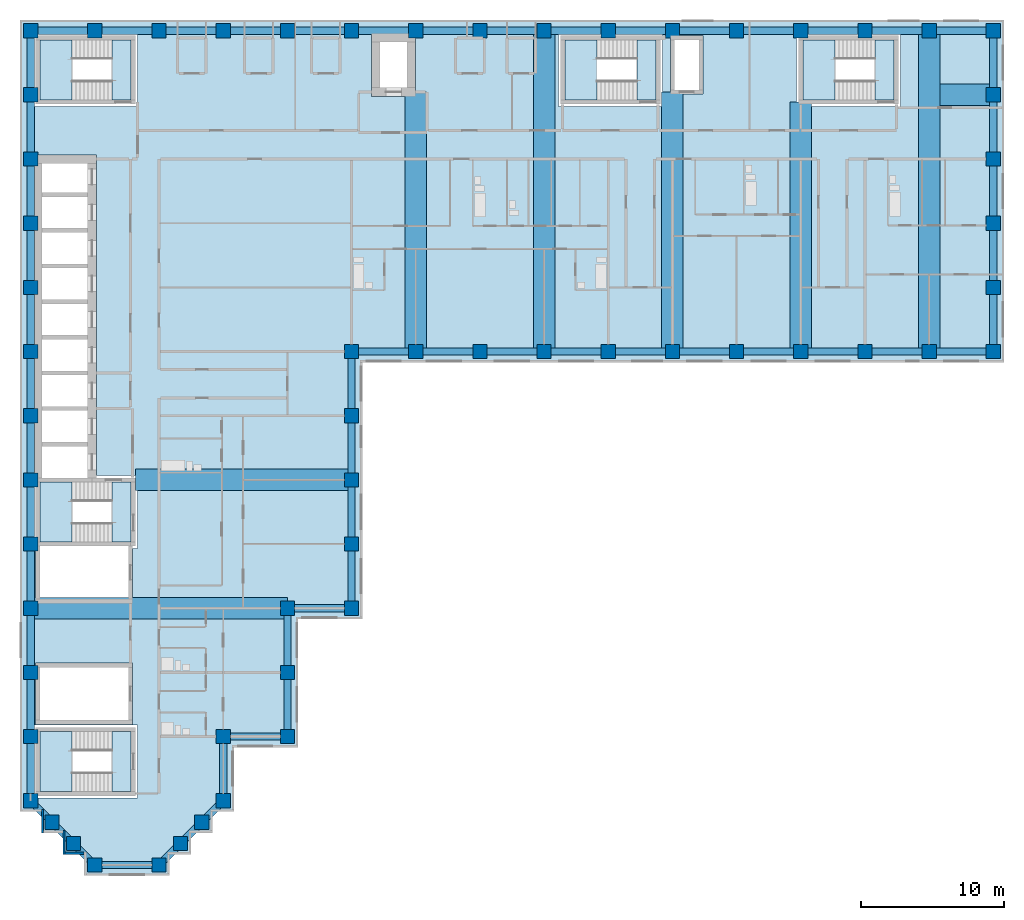
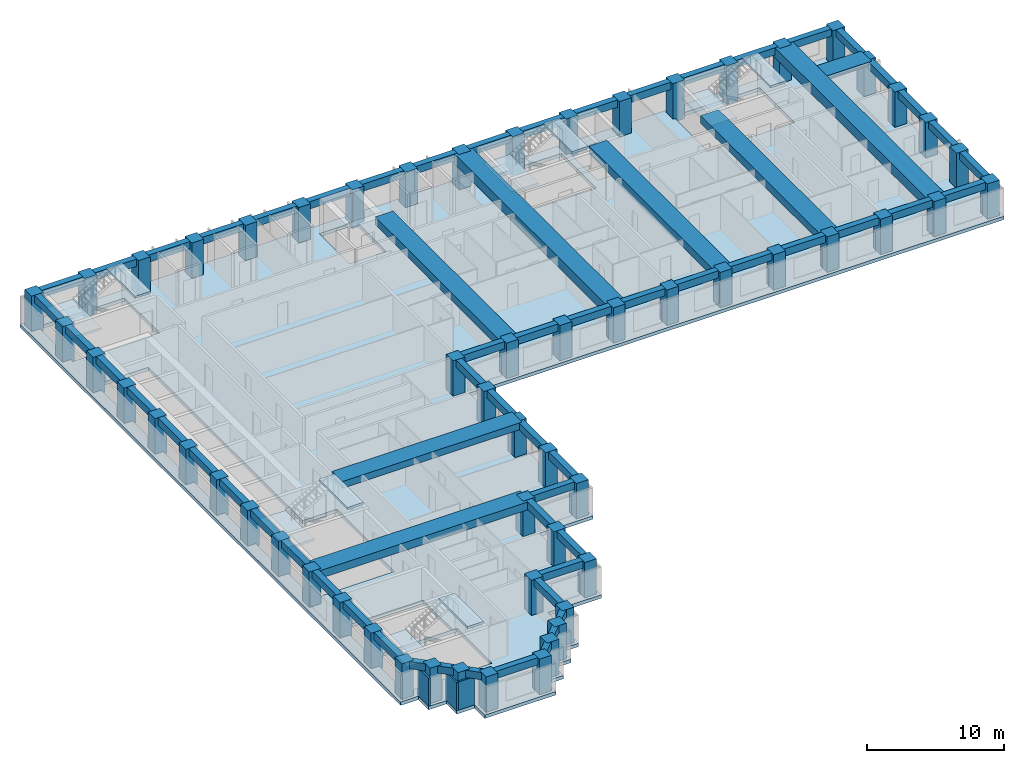
# One storey, part 1 of 12: 66 beams, 58 columns, 11 slabs, 3 walls, 5 elements without a shape of their own.
"""IFC4 building model written with IfcOpenShell, lengths in metres."""

from ifc_helpers import new_model, si_unit, direction, frame, frame_2d, origin, origin_2d, place, context, subcontext, project, spatial, polyline, rectangle, outline, extrude, material, layer, layer_set, material_profile, profile_set, type_object, element, aggregate, save


model = new_model("IFC4")

# Units and contexts
model_context = context("Model", 3, precision=1e-05, world=origin(), true_north=direction((0.0, 1.0)))
body_context = subcontext(model_context, "Body", "Model", "MODEL_VIEW")
ifc_project = project(units=[si_unit("LENGTHUNIT", "METRE"), si_unit("AREAUNIT", "SQUARE_METRE"), si_unit("VOLUMEUNIT", "CUBIC_METRE"), si_unit("PLANEANGLEUNIT", "RADIAN"), si_unit("MASSUNIT", "GRAM", prefix="KILO")], contexts=[model_context])

# Site, building, storey
site_placement = place(None, origin())
site = spatial("IfcSite", under=ifc_project, at=site_placement, CompositionType="ELEMENT")
building_placement = place(site_placement, origin())
building = spatial("IfcBuilding", under=site, at=building_placement, Name="Firuza Court", CompositionType="ELEMENT")
storey_placement = place(building_placement, frame((0.0, 0.0, 170.0)))
storey = spatial("IfcBuildingStorey", under=building, at=storey_placement, Name="L43", CompositionType="ELEMENT", Elevation=170.0)

# Columns
ifc_material_1 = material(Name="Concrete C60/75", Category="concrete")
ifc_material_profile_1 = material_profile(ifc_material_1, rectangle(XDim=1.0, YDim=1.0, at=origin_2d()), Name="RC 1000x1000")
ifc_profile_set_1 = profile_set([ifc_material_profile_1], Name="Concrete C60/75")
column_type = type_object("IfcColumnType", Name="Tube column RC 1000x1000 C60/75", PredefinedType="COLUMN", material=ifc_profile_set_1)
for number, where, z_axis, x_axis, name in (
    (1, (4.5, 0.0, -0.300048828125), (0.0, 0.0, 1.0), (1.0, 0.0, 0.0), "Column C-2D L43"),
    (2, (9.0, 0.0, -0.300048828125), (0.0, 0.0, 1.0), (1.0, 0.0, 0.0), "Column C-3D L43"),
    (3, (3.0, 1.5, -0.300048828125), (0.0, 0.0, 1.0), (1.0, 0.0, 0.0), "Column C-SA1 L43"),
    (4, (10.5, 1.5, -0.300048828125), (0.0, 0.0, 1.0), (1.0, 0.0, 0.0), "Column C-SA2 L43"),
    (5, (1.5, 3.0, -0.300048828125), (0.0, 0.0, 1.0), (1.0, 0.0, 0.0), "Column C-SA3 L43"),
    (6, (12.0, 3.0, -0.300048828125), (0.0, 0.0, 1.0), (1.0, 0.0, 0.0), "Column C-SA4 L43"),
    (7, (0.0, 4.5, -0.300048828125), (0.0, 0.0, 1.0), (1.0, 0.0, 0.0), "Column C-1E L43"),
    (8, (13.5, 4.5, -0.300048828125), (0.0, 0.0, 1.0), (1.0, 0.0, 0.0), "Column C-4E L43"),
    (9, (0.0, 9.0, -0.300048828125), (0.0, 0.0, 1.0), (1.0, 0.0, 0.0), "Column C-1F L43"),
    (10, (13.5, 9.0, -0.300048828125), (0.0, 0.0, 1.0), (1.0, 0.0, 0.0), "Column C-4F L43"),
    (11, (18.0, 9.0, -0.300048828125), (0.0, 0.0, 1.0), (1.0, 0.0, 0.0), "Column C-5F L43"),
    (12, (0.0, 13.5, -0.300048828125), (0.0, 0.0, 1.0), (1.0, 0.0, 0.0), "Column C-1G L43"),
    (13, (18.0, 13.5, -0.300048828125), (0.0, 0.0, 1.0), (1.0, 0.0, 0.0), "Column C-5G L43"),
    (14, (0.0, 18.0, -0.300048828125), (0.0, 0.0, 1.0), (1.0, 0.0, 0.0), "Column C-1H L43"),
    (15, (18.0, 18.0, -0.300048828125), (0.0, 0.0, 1.0), (1.0, 0.0, 0.0), "Column C-5H L43"),
    (16, (22.5, 18.0, -0.300048828125), (0.0, 0.0, 1.0), (1.0, 0.0, 0.0), "Column C-6H L43"),
    (17, (0.0, 22.5, -0.300048828125), (0.0, 0.0, 1.0), (1.0, 0.0, 0.0), "Column C-1J L43"),
    (18, (22.5, 22.5, -0.300048828125), (0.0, 0.0, 1.0), (1.0, 0.0, 0.0), "Column C-6J L43"),
    (19, (0.0, 27.0, -0.300048828125), (0.0, 0.0, 1.0), (1.0, 0.0, 0.0), "Column C-1K L43"),
    (20, (22.5, 27.0, -0.300048828125), (0.0, 0.0, 1.0), (1.0, 0.0, 0.0), "Column C-6K L43"),
    (21, (0.0, 31.5, -0.300048828125), (0.0, 0.0, 1.0), (1.0, 0.0, 0.0), "Column C-1L L43"),
    (22, (22.5, 31.5, -0.300048828125), (0.0, 0.0, 1.0), (1.0, 0.0, 0.0), "Column C-6L L43"),
    (23, (0.0, 36.0, -0.300048828125), (0.0, 0.0, 1.0), (1.0, 0.0, 0.0), "Column C-1M L43"),
    (24, (22.5, 36.0, -0.300048828125), (0.0, 0.0, 1.0), (1.0, 0.0, 0.0), "Column C-6M L43"),
    (25, (27.0, 36.0, -0.300048828125), (0.0, 0.0, 1.0), (1.0, 0.0, 0.0), "Column C-7M L43"),
    (26, (31.5, 36.0, -0.300048828125), (0.0, 0.0, 1.0), (1.0, 0.0, 0.0), "Column C-8M L43"),
    (27, (36.0, 36.0, -0.300048828125), (0.0, 0.0, 1.0), (1.0, 0.0, 0.0), "Column C-9M L43"),
    (28, (40.5, 36.0, -0.300048828125), (0.0, 0.0, 1.0), (1.0, 0.0, 0.0), "Column C-10M L43"),
    (29, (45.0, 36.0, -0.300048828125), (0.0, 0.0, 1.0), (1.0, 0.0, 0.0), "Column C-11M L43"),
    (30, (49.5, 36.0, -0.300048828125), (0.0, 0.0, 1.0), (1.0, 0.0, 0.0), "Column C-12M L43"),
    (31, (54.0, 36.0, -0.300048828125), (0.0, 0.0, 1.0), (1.0, 0.0, 0.0), "Column C-13M L43"),
    (32, (58.5, 36.0, -0.300048828125), (0.0, 0.0, 1.0), (1.0, 0.0, 0.0), "Column C-14M L43"),
    (33, (63.0, 36.0, -0.300048828125), (0.0, 0.0, 1.0), (1.0, 0.0, 0.0), "Column C-15M L43"),
    (34, (67.5, 36.0, -0.300048828125), (0.0, 0.0, 1.0), (1.0, 0.0, 0.0), "Column C-16M L43"),
    (35, (0.0, 40.5, -0.300048828125), (0.0, 0.0, 1.0), (1.0, 0.0, 0.0), "Column C-1N L43"),
    (36, (67.5, 40.5, -0.300048828125), (0.0, 0.0, 1.0), (1.0, 0.0, 0.0), "Column C-16N L43"),
    (37, (0.0, 45.0, -0.300048828125), (0.0, 0.0, 1.0), (1.0, 0.0, 0.0), "Column C-1P L43"),
    (38, (67.5, 45.0, -0.300048828125), (0.0, 0.0, 1.0), (1.0, 0.0, 0.0), "Column C-16P L43"),
    (39, (0.0, 49.5, -0.300048828125), (0.0, 0.0, 1.0), (1.0, 0.0, 0.0), "Column C-1Q L43"),
    (40, (67.5, 49.5, -0.300048828125), (0.0, 0.0, 1.0), (1.0, 0.0, 0.0), "Column C-16Q L43"),
    (41, (0.0, 54.0, -0.300048828125), (0.0, 0.0, 1.0), (1.0, 0.0, 0.0), "Column C-1R L43"),
    (42, (67.5, 54.0, -0.300048828125), (0.0, 0.0, 1.0), (1.0, 0.0, 0.0), "Column C-16R L43"),
    (43, (0.0, 58.5, -0.300048828125), (0.0, 0.0, 1.0), (1.0, 0.0, 0.0), "Column C-1S L43"),
    (44, (4.5, 58.5, -0.300048828125), (0.0, 0.0, 1.0), (1.0, 0.0, 0.0), "Column C-2S L43"),
    (45, (9.0, 58.5, -0.300048828125), (0.0, 0.0, 1.0), (1.0, 0.0, 0.0), "Column C-3S L43"),
    (46, (13.5, 58.5, -0.300048828125), (0.0, 0.0, 1.0), (1.0, 0.0, 0.0), "Column C-4S L43"),
    (47, (18.0, 58.5, -0.300048828125), (0.0, 0.0, 1.0), (1.0, 0.0, 0.0), "Column C-5S L43"),
    (48, (22.5, 58.5, -0.300048828125), (0.0, 0.0, 1.0), (1.0, 0.0, 0.0), "Column C-6S L43"),
    (49, (27.0, 58.5, -0.300048828125), (0.0, 0.0, 1.0), (1.0, 0.0, 0.0), "Column C-7S L43"),
    (50, (31.5, 58.5, -0.300048828125), (0.0, 0.0, 1.0), (1.0, 0.0, 0.0), "Column C-8S L43"),
    (51, (36.0, 58.5, -0.300048828125), (0.0, 0.0, 1.0), (1.0, 0.0, 0.0), "Column C-9S L43"),
    (52, (40.5, 58.5, -0.300048828125), (0.0, 0.0, 1.0), (1.0, 0.0, 0.0), "Column C-10S L43"),
    (53, (45.0, 58.5, -0.300048828125), (0.0, 0.0, 1.0), (1.0, 0.0, 0.0), "Column C-11S L43"),
    (54, (49.5, 58.5, -0.300048828125), (0.0, 0.0, 1.0), (1.0, 0.0, 0.0), "Column C-12S L43"),
    (55, (54.0, 58.5, -0.300048828125), (0.0, 0.0, 1.0), (1.0, 0.0, 0.0), "Column C-13S L43"),
    (56, (58.5, 58.5, -0.300048828125), (0.0, 0.0, 1.0), (1.0, 0.0, 0.0), "Column C-14S L43"),
    (57, (63.0, 58.5, -0.300048828125), (0.0, 0.0, 1.0), (1.0, 0.0, 0.0), "Column C-15S L43"),
    (58, (67.5, 58.5, -0.300048828125), (0.0, 0.0, 1.0), (1.0, 0.0, 0.0), "Column C-16S L43"),
):
    element("IfcColumn", number, at=place(storey_placement, frame(where, z_axis=z_axis, x_axis=x_axis)), inside=storey, type_object=column_type, Name=name, PredefinedType="COLUMN", context=body_context, shape_type="SweptSolid", body=[
        extrude(rectangle(XDim=1.0, YDim=1.0, at=origin_2d()), origin(), (0.0, 0.0, 1.0), 3.449951171875),
    ])

# Beams
ifc_material_2 = material(Name="Concrete C40/50", Category="concrete")
ifc_material_profile_2 = material_profile(ifc_material_2, rectangle(XDim=1.5, YDim=0.35009765625, at=origin_2d()), Name="RC 1500x350")
ifc_profile_set_2 = profile_set([ifc_material_profile_2], Name="Concrete C40/50")
beam_type_1 = type_object("IfcBeamType", Name="Band beam RC 1500x350 C40/50", PredefinedType="BEAM", material=ifc_profile_set_2)
beam_1_placement = place(storey_placement, frame((67.5, 54.0, 2.97509765625), z_axis=(-1.0, 0.0, 0.0), x_axis=(0.0, -1.0, 0.0)))
element("IfcBeam", 59, at=beam_1_placement, inside=storey, type_object=beam_type_1, Name="Band beam FB7 level L44", PredefinedType="BEAM", context=body_context, shape_type="SweptSolid", body=[
    extrude(rectangle(XDim=1.5, YDim=0.35009765625, at=origin_2d()), origin(), (0.0, 0.0, 1.0), 3.75),
])
ifc_material_3 = material(Name="Concrete C40/50", Category="concrete")
ifc_material_profile_3 = material_profile(ifc_material_3, rectangle(XDim=1.5, YDim=0.60009765625, at=origin_2d()), Name="RC 1500x600")
ifc_profile_set_3 = profile_set([ifc_material_profile_3], Name="Concrete C40/50")
beam_type_2 = type_object("IfcBeamType", Name="Band beam RC 1500x600 C40/50", PredefinedType="BEAM", material=ifc_profile_set_3)
beam_2_placement = place(storey_placement, frame((22.5, 27.0, 2.85009765625), z_axis=(-1.0, 0.0, 0.0), x_axis=(0.0, -1.0, 0.0)))
element("IfcBeam", 60, at=beam_2_placement, inside=storey, type_object=beam_type_2, Name="Band beam FB3 level L44", PredefinedType="BEAM", context=body_context, shape_type="SweptSolid", body=[
    extrude(rectangle(XDim=1.5, YDim=0.60009765625, at=origin_2d()), origin(), (0.0, 0.0, 1.0), 15.14990234375),
])
ifc_material_4 = material(Name="Concrete C40/50", Category="concrete")
ifc_material_profile_4 = material_profile(ifc_material_4, rectangle(XDim=1.5, YDim=0.699951171875, at=origin_2d()), Name="RC 1500x700")
ifc_profile_set_4 = profile_set([ifc_material_profile_4], Name="Concrete C40/50")
beam_type_3 = type_object("IfcBeamType", Name="Band beam RC 1500x700 C40/50", PredefinedType="BEAM", material=ifc_profile_set_4)
beam_3_placement = place(storey_placement, frame((0.0, 18.0, 2.800048828125), z_axis=(1.0, 0.0, 0.0), x_axis=(0.0, 1.0, 0.0)))
element("IfcBeam", 61, at=beam_3_placement, inside=storey, type_object=beam_type_3, Name="Band beam FB1 level L44", PredefinedType="BEAM", context=body_context, shape_type="SweptSolid", body=[
    extrude(rectangle(XDim=1.5, YDim=0.699951171875, at=origin_2d()), origin(), (0.0, 0.0, 1.0), 18.0),
])
for number, where, z_axis, x_axis, name in (
    (62, (27.0, 36.0, 2.800048828125), (0.0, 1.0, 0.0), (-1.0, 0.0, 0.0), "Band beam FB1 level L44"),
    (63, (45.0, 36.0, 2.800048828125), (0.0, 1.0, 0.0), (-1.0, 0.0, 0.0), "Band beam FB1 level L44"),
):
    element("IfcBeam", number, at=place(storey_placement, frame(where, z_axis=z_axis, x_axis=x_axis)), inside=storey, type_object=beam_type_3, Name=name, PredefinedType="BEAM", context=body_context, shape_type="SweptSolid", body=[
        extrude(rectangle(XDim=1.5, YDim=0.699951171875, at=origin_2d()), origin(), (0.0, 0.0, 1.0), 18.199951171875),
    ])
beam_4_placement = place(storey_placement, frame((54.0, 36.0, 2.800048828125), z_axis=(0.0, 1.0, 0.0), x_axis=(-1.0, 0.0, 0.0)))
element("IfcBeam", 64, at=beam_4_placement, inside=storey, type_object=beam_type_3, Name="Band beam FB1 level L44", PredefinedType="BEAM", context=body_context, shape_type="SweptSolid", body=[
    extrude(rectangle(XDim=1.5, YDim=0.699951171875, at=origin_2d()), origin(), (0.0, 0.0, 1.0), 17.5),
])
ifc_material_5 = material(Name="Concrete C40/50", Category="concrete")
ifc_material_profile_5 = material_profile(ifc_material_5, rectangle(XDim=1.5, YDim=0.89990234375, at=origin_2d()), Name="RC 1500x900")
ifc_profile_set_5 = profile_set([ifc_material_profile_5], Name="Concrete C40/50")
beam_type_4 = type_object("IfcBeamType", Name="Band beam RC 1500x900 C40/50", PredefinedType="BEAM", material=ifc_profile_set_5)
for number, where, z_axis, x_axis, name in (
    (65, (36.0, 36.0, 2.699951171875), (0.0, 1.0, 0.0), (-1.0, 0.0, 0.0), "Band beam FB2 level L44"),
    (66, (63.0, 36.0, 2.699951171875), (0.0, 1.0, 0.0), (-1.0, 0.0, 0.0), "Band beam FB2 level L44"),
):
    element("IfcBeam", number, at=place(storey_placement, frame(where, z_axis=z_axis, x_axis=x_axis)), inside=storey, type_object=beam_type_4, Name=name, PredefinedType="BEAM", context=body_context, shape_type="SweptSolid", body=[
        extrude(rectangle(XDim=1.5, YDim=0.89990234375, at=origin_2d()), origin(), (0.0, 0.0, 1.0), 22.5),
    ])
ifc_material_6 = material(Name="Concrete C40/50", Category="concrete")
ifc_material_profile_6 = material_profile(ifc_material_6, rectangle(XDim=0.5, YDim=0.64990234375, at=origin_2d()), Name="RC 500x650")
ifc_profile_set_6 = profile_set([ifc_material_profile_6], Name="Concrete C40/50")
beam_type_5 = type_object("IfcBeamType", Name="Spandrel beam RC 500x650 C40/50", PredefinedType="BEAM", material=ifc_profile_set_6)
beam_5_placement = place(storey_placement, frame((0.0, 4.5, 2.824951171875), z_axis=(0.707106781187, -0.707106781187, 0.0), x_axis=(0.707106781187, 0.707106781187, 0.0)))
element("IfcBeam", 67, at=beam_5_placement, inside=storey, type_object=beam_type_5, Name="Spandrel beam SP14 level L44", PredefinedType="BEAM", context=body_context, shape_type="SweptSolid", body=[
    extrude(rectangle(XDim=0.5, YDim=0.64990234375, at=origin_2d()), origin(), (0.0, 0.0, 1.0), 2.121337890625),
])
for number, where, z_axis, x_axis, name in (
    (68, (0.0, 9.0, 2.824951171875), (0.0, -1.0, 0.0), (1.0, 0.0, 0.0), "Spandrel beam SP14 level L44"),
    (69, (0.0, 13.5, 2.824951171875), (0.0, -1.0, 0.0), (1.0, 0.0, 0.0), "Spandrel beam SP14 level L44"),
    (70, (0.0, 18.0, 2.824951171875), (0.0, -1.0, 0.0), (1.0, 0.0, 0.0), "Spandrel beam SP14 level L44"),
    (71, (0.0, 22.5, 2.824951171875), (0.0, -1.0, 0.0), (1.0, 0.0, 0.0), "Spandrel beam SP14 level L44"),
    (72, (0.0, 27.0, 2.824951171875), (0.0, -1.0, 0.0), (1.0, 0.0, 0.0), "Spandrel beam SP14 level L44"),
    (73, (0.0, 31.5, 2.824951171875), (0.0, -1.0, 0.0), (1.0, 0.0, 0.0), "Spandrel beam SP14 level L44"),
    (74, (0.0, 36.0, 2.824951171875), (0.0, -1.0, 0.0), (1.0, 0.0, 0.0), "Spandrel beam SP14 level L44"),
    (75, (0.0, 40.5, 2.824951171875), (0.0, -1.0, 0.0), (1.0, 0.0, 0.0), "Spandrel beam SP14 level L44"),
    (76, (0.0, 45.0, 2.824951171875), (0.0, -1.0, 0.0), (1.0, 0.0, 0.0), "Spandrel beam SP14 level L44"),
    (77, (0.0, 49.5, 2.824951171875), (0.0, -1.0, 0.0), (1.0, 0.0, 0.0), "Spandrel beam SP14 level L44"),
    (78, (0.0, 54.0, 2.824951171875), (0.0, -1.0, 0.0), (1.0, 0.0, 0.0), "Spandrel beam SP14 level L44"),
    (79, (0.0, 58.5, 2.824951171875), (0.0, -1.0, 0.0), (1.0, 0.0, 0.0), "Spandrel beam SP14 level L44"),
):
    element("IfcBeam", number, at=place(storey_placement, frame(where, z_axis=z_axis, x_axis=x_axis)), inside=storey, type_object=beam_type_5, Name=name, PredefinedType="BEAM", context=body_context, shape_type="SweptSolid", body=[
        extrude(rectangle(XDim=0.5, YDim=0.64990234375, at=origin_2d()), origin(), (0.0, 0.0, 1.0), 4.5),
    ])
for number, where, z_axis, x_axis, name in (
    (80, (1.5, 3.0, 2.824951171875), (0.707106781187, -0.707106781187, 0.0), (0.707106781187, 0.707106781187, 0.0), "Spandrel beam SP14 level L44"),
    (81, (3.0, 1.5, 2.824951171875), (0.707106781187, -0.707106781187, 0.0), (0.707106781187, 0.707106781187, 0.0), "Spandrel beam SP14 level L44"),
):
    element("IfcBeam", number, at=place(storey_placement, frame(where, z_axis=z_axis, x_axis=x_axis)), inside=storey, type_object=beam_type_5, Name=name, PredefinedType="BEAM", context=body_context, shape_type="SweptSolid", body=[
        extrude(rectangle(XDim=0.5, YDim=0.64990234375, at=origin_2d()), origin(), (0.0, 0.0, 1.0), 2.121337890625),
    ])
for number, where, z_axis, x_axis, name in (
    (82, (4.5, 0.0, 2.824951171875), (1.0, 0.0, 0.0), (0.0, 1.0, 0.0), "Spandrel beam SP14 level L44"),
    (83, (4.5, 58.5, 2.824951171875), (-1.0, 0.0, 0.0), (0.0, -1.0, 0.0), "Spandrel beam SP14 level L44"),
):
    element("IfcBeam", number, at=place(storey_placement, frame(where, z_axis=z_axis, x_axis=x_axis)), inside=storey, type_object=beam_type_5, Name=name, PredefinedType="BEAM", context=body_context, shape_type="SweptSolid", body=[
        extrude(rectangle(XDim=0.5, YDim=0.64990234375, at=origin_2d()), origin(), (0.0, 0.0, 1.0), 4.5),
    ])
beam_6_placement = place(storey_placement, frame((9.0, 0.0, 2.824951171875), z_axis=(0.707106781187, 0.707106781187, 0.0), x_axis=(-0.707106781187, 0.707106781187, 0.0)))
element("IfcBeam", 84, at=beam_6_placement, inside=storey, type_object=beam_type_5, Name="Spandrel beam SP14 level L44", PredefinedType="BEAM", context=body_context, shape_type="SweptSolid", body=[
    extrude(rectangle(XDim=0.5, YDim=0.64990234375, at=origin_2d()), origin(), (0.0, 0.0, 1.0), 2.121337890625),
])
beam_7_placement = place(storey_placement, frame((9.0, 58.5, 2.824951171875), z_axis=(-1.0, 0.0, 0.0), x_axis=(0.0, -1.0, 0.0)))
element("IfcBeam", 85, at=beam_7_placement, inside=storey, type_object=beam_type_5, Name="Spandrel beam SP14 level L44", PredefinedType="BEAM", context=body_context, shape_type="SweptSolid", body=[
    extrude(rectangle(XDim=0.5, YDim=0.64990234375, at=origin_2d()), origin(), (0.0, 0.0, 1.0), 4.5),
])
for number, where, z_axis, x_axis, name in (
    (86, (10.5, 1.5, 2.824951171875), (0.707106781187, 0.707106781187, 0.0), (-0.707106781187, 0.707106781187, 0.0), "Spandrel beam SP14 level L44"),
    (87, (12.0, 3.0, 2.824951171875), (0.707106781187, 0.707106781187, 0.0), (-0.707106781187, 0.707106781187, 0.0), "Spandrel beam SP14 level L44"),
):
    element("IfcBeam", number, at=place(storey_placement, frame(where, z_axis=z_axis, x_axis=x_axis)), inside=storey, type_object=beam_type_5, Name=name, PredefinedType="BEAM", context=body_context, shape_type="SweptSolid", body=[
        extrude(rectangle(XDim=0.5, YDim=0.64990234375, at=origin_2d()), origin(), (0.0, 0.0, 1.0), 2.121337890625),
    ])
for number, where, z_axis, x_axis, name in (
    (88, (13.5, 4.5, 2.824951171875), (0.0, 1.0, 0.0), (-1.0, 0.0, 0.0), "Spandrel beam SP14 level L44"),
    (89, (13.5, 9.0, 2.824951171875), (1.0, 0.0, 0.0), (0.0, 1.0, 0.0), "Spandrel beam SP14 level L44"),
    (90, (13.5, 58.5, 2.824951171875), (-1.0, 0.0, 0.0), (0.0, -1.0, 0.0), "Spandrel beam SP14 level L44"),
    (91, (18.0, 9.0, 2.824951171875), (0.0, 1.0, 0.0), (-1.0, 0.0, 0.0), "Spandrel beam SP14 level L44"),
    (92, (18.0, 13.5, 2.824951171875), (0.0, 1.0, 0.0), (-1.0, 0.0, 0.0), "Spandrel beam SP14 level L44"),
    (93, (18.0, 18.0, 2.824951171875), (1.0, 0.0, 0.0), (0.0, 1.0, 0.0), "Spandrel beam SP14 level L44"),
    (94, (18.0, 58.5, 2.824951171875), (-1.0, 0.0, 0.0), (0.0, -1.0, 0.0), "Spandrel beam SP14 level L44"),
    (95, (22.5, 18.0, 2.824951171875), (0.0, 1.0, 0.0), (-1.0, 0.0, 0.0), "Spandrel beam SP14 level L44"),
    (96, (22.5, 22.5, 2.824951171875), (0.0, 1.0, 0.0), (-1.0, 0.0, 0.0), "Spandrel beam SP14 level L44"),
    (97, (22.5, 27.0, 2.824951171875), (0.0, 1.0, 0.0), (-1.0, 0.0, 0.0), "Spandrel beam SP14 level L44"),
    (98, (22.5, 31.5, 2.824951171875), (0.0, 1.0, 0.0), (-1.0, 0.0, 0.0), "Spandrel beam SP14 level L44"),
    (99, (22.5, 36.0, 2.824951171875), (1.0, 0.0, 0.0), (0.0, 1.0, 0.0), "Spandrel beam SP14 level L44"),
    (100, (22.5, 58.5, 2.824951171875), (-1.0, 0.0, 0.0), (0.0, -1.0, 0.0), "Spandrel beam SP14 level L44"),
    (101, (27.0, 36.0, 2.824951171875), (1.0, 0.0, 0.0), (0.0, 1.0, 0.0), "Spandrel beam SP14 level L44"),
    (102, (27.0, 58.5, 2.824951171875), (-1.0, 0.0, 0.0), (0.0, -1.0, 0.0), "Spandrel beam SP14 level L44"),
    (103, (31.5, 36.0, 2.824951171875), (1.0, 0.0, 0.0), (0.0, 1.0, 0.0), "Spandrel beam SP14 level L44"),
    (104, (31.5, 58.5, 2.824951171875), (-1.0, 0.0, 0.0), (0.0, -1.0, 0.0), "Spandrel beam SP14 level L44"),
    (105, (36.0, 36.0, 2.824951171875), (1.0, 0.0, 0.0), (0.0, 1.0, 0.0), "Spandrel beam SP14 level L44"),
    (106, (36.0, 58.5, 2.824951171875), (-1.0, 0.0, 0.0), (0.0, -1.0, 0.0), "Spandrel beam SP14 level L44"),
    (107, (40.5, 36.0, 2.824951171875), (1.0, 0.0, 0.0), (0.0, 1.0, 0.0), "Spandrel beam SP14 level L44"),
    (108, (40.5, 58.5, 2.824951171875), (-1.0, 0.0, 0.0), (0.0, -1.0, 0.0), "Spandrel beam SP14 level L44"),
    (109, (45.0, 36.0, 2.824951171875), (1.0, 0.0, 0.0), (0.0, 1.0, 0.0), "Spandrel beam SP14 level L44"),
    (110, (45.0, 58.5, 2.824951171875), (-1.0, 0.0, 0.0), (0.0, -1.0, 0.0), "Spandrel beam SP14 level L44"),
    (111, (49.5, 36.0, 2.824951171875), (1.0, 0.0, 0.0), (0.0, 1.0, 0.0), "Spandrel beam SP14 level L44"),
    (112, (49.5, 58.5, 2.824951171875), (-1.0, 0.0, 0.0), (0.0, -1.0, 0.0), "Spandrel beam SP14 level L44"),
    (113, (54.0, 36.0, 2.824951171875), (1.0, 0.0, 0.0), (0.0, 1.0, 0.0), "Spandrel beam SP14 level L44"),
    (114, (54.0, 58.5, 2.824951171875), (-1.0, 0.0, 0.0), (0.0, -1.0, 0.0), "Spandrel beam SP14 level L44"),
    (115, (58.5, 36.0, 2.824951171875), (1.0, 0.0, 0.0), (0.0, 1.0, 0.0), "Spandrel beam SP14 level L44"),
    (116, (58.5, 58.5, 2.824951171875), (-1.0, 0.0, 0.0), (0.0, -1.0, 0.0), "Spandrel beam SP14 level L44"),
    (117, (63.0, 36.0, 2.824951171875), (1.0, 0.0, 0.0), (0.0, 1.0, 0.0), "Spandrel beam SP14 level L44"),
    (118, (63.0, 58.5, 2.824951171875), (-1.0, 0.0, 0.0), (0.0, -1.0, 0.0), "Spandrel beam SP14 level L44"),
    (119, (67.5, 36.0, 2.824951171875), (0.0, 1.0, 0.0), (-1.0, 0.0, 0.0), "Spandrel beam SP14 level L44"),
    (120, (67.5, 40.5, 2.824951171875), (0.0, 1.0, 0.0), (-1.0, 0.0, 0.0), "Spandrel beam SP14 level L44"),
    (121, (67.5, 45.0, 2.824951171875), (0.0, 1.0, 0.0), (-1.0, 0.0, 0.0), "Spandrel beam SP14 level L44"),
    (122, (67.5, 49.5, 2.824951171875), (0.0, 1.0, 0.0), (-1.0, 0.0, 0.0), "Spandrel beam SP14 level L44"),
    (123, (67.5, 54.0, 2.824951171875), (0.0, 1.0, 0.0), (-1.0, 0.0, 0.0), "Spandrel beam SP14 level L44"),
    (124, (67.5, 58.5, 2.824951171875), (-1.0, 0.0, 0.0), (0.0, -1.0, 0.0), "Spandrel beam SP14 level L44"),
):
    element("IfcBeam", number, at=place(storey_placement, frame(where, z_axis=z_axis, x_axis=x_axis)), inside=storey, type_object=beam_type_5, Name=name, PredefinedType="BEAM", context=body_context, shape_type="SweptSolid", body=[
        extrude(rectangle(XDim=0.5, YDim=0.64990234375, at=origin_2d()), origin(), (0.0, 0.0, 1.0), 4.5),
    ])

# Slab
ifc_material_7 = material(Name="Concrete C40/50", Category="concrete")
ifc_layer_1 = layer(ifc_material_7, 0.300048828125)
ifc_layer_set_1 = layer_set([ifc_layer_1], Name="Concrete C40/50")
slab_type_1 = type_object("IfcSlabType", Name="Floor slab 300 C40/50", PredefinedType="FLOOR", material=ifc_layer_set_1)
slab_1_placement = place(storey_placement, frame((0.0, 0.0, -0.300048828125)))
element("IfcSlab", 125, at=slab_1_placement, inside=storey, type_object=slab_type_1, Name="Floor slab L43", PredefinedType="FLOOR", context=body_context, shape_type="SweptSolid", body=[
    extrude(outline(polyline([(3.75, -0.75), (3.75, 0.75), (2.25, 0.75), (2.25, 2.25), (0.75, 2.25), (0.75, 3.75), (-0.75, 3.75), (-0.75, 59.25), (68.25, 59.25), (68.25, 35.25), (23.25, 35.25), (23.25, 17.25), (18.75, 17.25), (18.75, 8.25), (14.25, 8.25), (14.25, 3.75), (12.75, 3.75), (12.75, 2.25), (11.25, 2.25), (11.25, 0.75), (9.75, 0.75), (9.75, -0.75), (3.75, -0.75)]), holes=[polyline([(0.199951171875, 29.800048828125), (0.199951171875, 29.199951171875), (0.199951171875, 27.300048828125), (0.199951171875, 26.699951171875), (0.199951171875, 22.199951171875), (0.35009765625, 22.199951171875), (0.35009765625, 18.35009765625), (7.14990234375, 18.35009765625), (7.14990234375, 22.199951171875), (7.5, 22.199951171875), (7.5, 27.300048828125), (4.60009765625, 27.300048828125), (4.60009765625, 29.199951171875), (4.60009765625, 29.800048828125), (4.60009765625, 31.699951171875), (4.60009765625, 32.300048828125), (4.60009765625, 34.199951171875), (4.60009765625, 34.800048828125), (4.60009765625, 36.699951171875), (4.60009765625, 37.300048828125), (4.60009765625, 39.199951171875), (4.60009765625, 39.800048828125), (4.60009765625, 41.699951171875), (4.60009765625, 42.300048828125), (4.60009765625, 44.199951171875), (4.60009765625, 44.800048828125), (4.60009765625, 46.699951171875), (4.60009765625, 47.300048828125), (4.60009765625, 49.800048828125), (0.199951171875, 49.800048828125), (0.199951171875, 47.300048828125), (0.199951171875, 46.699951171875), (0.199951171875, 44.800048828125), (0.199951171875, 44.199951171875), (0.199951171875, 42.300048828125), (0.199951171875, 41.699951171875), (0.199951171875, 39.800048828125), (0.199951171875, 39.199951171875), (0.199951171875, 37.300048828125), (0.199951171875, 36.699951171875), (0.199951171875, 34.800048828125), (0.199951171875, 34.199951171875), (0.199951171875, 32.300048828125), (0.199951171875, 31.699951171875), (0.199951171875, 29.800048828125)]), polyline([(7.5, 9.800048828125), (0.199951171875, 9.800048828125), (0.199951171875, 4.699951171875), (7.5, 4.699951171875), (7.5, 9.800048828125)]), polyline([(7.14990234375, 14.14990234375), (0.35009765625, 14.14990234375), (0.35009765625, 9.85009765625), (7.14990234375, 9.85009765625), (7.14990234375, 14.14990234375)]), polyline([(7.5, 58.300048828125), (0.199951171875, 58.300048828125), (0.199951171875, 53.199951171875), (7.5, 53.199951171875), (7.5, 58.300048828125)]), polyline([(44.300048828125, 58.300048828125), (37.0, 58.300048828125), (37.0, 53.199951171875), (44.300048828125, 53.199951171875), (44.300048828125, 58.300048828125)]), polyline([(61.0, 58.300048828125), (53.699951171875, 58.300048828125), (53.699951171875, 53.199951171875), (61.0, 53.199951171875), (61.0, 58.300048828125)]), polyline([(27.0, 53.89990234375), (27.0, 58.300048828125), (23.89990234375, 58.300048828125), (23.89990234375, 53.89990234375), (27.0, 53.89990234375)]), polyline([(47.14990234375, 54.050048828125), (47.14990234375, 58.14990234375), (44.85009765625, 58.14990234375), (44.85009765625, 54.050048828125), (47.14990234375, 54.050048828125)])]), origin(), (0.0, 0.0, 1.0), 0.300048828125),
])

# Stair, slabs
ifc_material_8 = material(Name="Concrete C40/50 precast", Category="concrete")
stair_type = type_object("IfcStairType", Name="Stair 1350 x 3600 2 flights", PredefinedType="HALF_TURN_STAIR", material=ifc_material_8)
stair_1_placement = place(storey_placement, origin())
stair_1 = element("IfcStair", 126, at=stair_1_placement, inside=storey, type_object=stair_type, Name="Stair 1 L43", PredefinedType="HALF_TURN_STAIR")
ifc_material_9 = material(Name="Concrete C40/50 precast", Category="concrete")
ifc_layer_2 = layer(ifc_material_9, 0.199951171875)
ifc_layer_set_2 = layer_set([ifc_layer_2], Name="Concrete C40/50 precast")
slab_type_2 = type_object("IfcSlabType", Name="Stair landing 200", PredefinedType="LANDING", material=ifc_layer_set_2)
slab_2_placement = place(storey_placement, frame((0.0, 0.0, 1.60009765625)))
slab_2 = element("IfcSlab", 127, at=slab_2_placement, type_object=slab_type_2, Name="S1 landing 1", PredefinedType="LANDING", context=body_context, shape_type="SweptSolid", body=[
    extrude(outline(polyline([(39.699951171875, 53.64990234375), (39.699951171875, 57.85009765625), (37.449951171875, 57.85009765625), (37.449951171875, 53.64990234375), (39.699951171875, 53.64990234375)])), origin(), (0.0, 0.0, 1.0), 0.199951171875),
])
slab_3_placement = place(storey_placement, frame((0.0, 0.0, 3.39990234375)))
slab_3 = element("IfcSlab", 128, at=slab_3_placement, type_object=slab_type_2, Name="S1 landing 2", PredefinedType="LANDING", context=body_context, shape_type="SweptSolid", body=[
    extrude(outline(polyline([(43.85009765625, 53.64990234375), (43.85009765625, 57.85009765625), (42.5, 57.85009765625), (42.5, 53.64990234375), (43.85009765625, 53.64990234375)])), origin(), (0.0, 0.0, 1.0), 0.2001953125),
])
aggregate(stair_1, [slab_2, slab_3])

stair_2_placement = place(storey_placement, origin())
stair_2 = element("IfcStair", 129, at=stair_2_placement, inside=storey, type_object=stair_type, Name="Stair 2 L43", PredefinedType="HALF_TURN_STAIR")
slab_4_placement = place(storey_placement, frame((0.0, 0.0, 1.60009765625)))
slab_4 = element("IfcSlab", 130, at=slab_4_placement, type_object=slab_type_2, Name="S2 landing 1", PredefinedType="LANDING", context=body_context, shape_type="SweptSolid", body=[
    extrude(outline(polyline([(2.89990234375, 22.64990234375), (2.89990234375, 26.85009765625), (0.64990234375, 26.85009765625), (0.64990234375, 22.64990234375), (2.89990234375, 22.64990234375)])), origin(), (0.0, 0.0, 1.0), 0.199951171875),
])
slab_5_placement = place(storey_placement, frame((0.0, 0.0, 3.39990234375)))
slab_5 = element("IfcSlab", 131, at=slab_5_placement, type_object=slab_type_2, Name="S2 landing 2", PredefinedType="LANDING", context=body_context, shape_type="SweptSolid", body=[
    extrude(outline(polyline([(7.050048828125, 22.64990234375), (7.050048828125, 26.85009765625), (5.699951171875, 26.85009765625), (5.699951171875, 22.64990234375), (7.050048828125, 22.64990234375)])), origin(), (0.0, 0.0, 1.0), 0.2001953125),
])
aggregate(stair_2, [slab_4, slab_5])

stair_3_placement = place(storey_placement, origin())
stair_3 = element("IfcStair", 132, at=stair_3_placement, inside=storey, type_object=stair_type, Name="Stair 3 L43", PredefinedType="HALF_TURN_STAIR")
slab_6_placement = place(storey_placement, frame((0.0, 0.0, 1.60009765625)))
slab_6 = element("IfcSlab", 133, at=slab_6_placement, type_object=slab_type_2, Name="S3 landing 1", PredefinedType="LANDING", context=body_context, shape_type="SweptSolid", body=[
    extrude(outline(polyline([(2.89990234375, 53.64990234375), (2.89990234375, 57.85009765625), (0.64990234375, 57.85009765625), (0.64990234375, 53.64990234375), (2.89990234375, 53.64990234375)])), origin(), (0.0, 0.0, 1.0), 0.199951171875),
])
slab_7_placement = place(storey_placement, frame((0.0, 0.0, 3.39990234375)))
slab_7 = element("IfcSlab", 134, at=slab_7_placement, type_object=slab_type_2, Name="S3 landing 2", PredefinedType="LANDING", context=body_context, shape_type="SweptSolid", body=[
    extrude(outline(polyline([(7.050048828125, 53.64990234375), (7.050048828125, 57.85009765625), (5.699951171875, 57.85009765625), (5.699951171875, 53.64990234375), (7.050048828125, 53.64990234375)])), origin(), (0.0, 0.0, 1.0), 0.2001953125),
])
aggregate(stair_3, [slab_6, slab_7])

stair_4_placement = place(storey_placement, origin())
stair_4 = element("IfcStair", 135, at=stair_4_placement, inside=storey, type_object=stair_type, Name="Stair 4 L43", PredefinedType="HALF_TURN_STAIR")
slab_8_placement = place(storey_placement, frame((0.0, 0.0, 1.60009765625)))
slab_8 = element("IfcSlab", 136, at=slab_8_placement, type_object=slab_type_2, Name="S4 landing 1", PredefinedType="LANDING", context=body_context, shape_type="SweptSolid", body=[
    extrude(outline(polyline([(56.39990234375, 53.64990234375), (56.39990234375, 57.85009765625), (54.14990234375, 57.85009765625), (54.14990234375, 53.64990234375), (56.39990234375, 53.64990234375)])), origin(), (0.0, 0.0, 1.0), 0.199951171875),
])
slab_9_placement = place(storey_placement, frame((0.0, 0.0, 3.39990234375)))
slab_9 = element("IfcSlab", 137, at=slab_9_placement, type_object=slab_type_2, Name="S4 landing 2", PredefinedType="LANDING", context=body_context, shape_type="SweptSolid", body=[
    extrude(outline(polyline([(60.550048828125, 53.64990234375), (60.550048828125, 57.85009765625), (59.199951171875, 57.85009765625), (59.199951171875, 53.64990234375), (60.550048828125, 53.64990234375)])), origin(), (0.0, 0.0, 1.0), 0.2001953125),
])
aggregate(stair_4, [slab_8, slab_9])

stair_5_placement = place(storey_placement, origin())
stair_5 = element("IfcStair", 138, at=stair_5_placement, inside=storey, type_object=stair_type, Name="Stair 5 L43", PredefinedType="HALF_TURN_STAIR")
slab_10_placement = place(storey_placement, frame((0.0, 0.0, 1.60009765625)))
slab_10 = element("IfcSlab", 139, at=slab_10_placement, type_object=slab_type_2, Name="S5 landing 1", PredefinedType="LANDING", context=body_context, shape_type="SweptSolid", body=[
    extrude(outline(polyline([(2.89990234375, 5.14990234375), (2.89990234375, 9.35009765625), (0.64990234375, 9.35009765625), (0.64990234375, 5.14990234375), (2.89990234375, 5.14990234375)])), origin(), (0.0, 0.0, 1.0), 0.199951171875),
])
slab_11_placement = place(storey_placement, frame((0.0, 0.0, 3.39990234375)))
slab_11 = element("IfcSlab", 140, at=slab_11_placement, type_object=slab_type_2, Name="S5 landing 2", PredefinedType="LANDING", context=body_context, shape_type="SweptSolid", body=[
    extrude(outline(polyline([(7.050048828125, 5.14990234375), (7.050048828125, 9.35009765625), (5.699951171875, 9.35009765625), (5.699951171875, 5.14990234375), (7.050048828125, 5.14990234375)])), origin(), (0.0, 0.0, 1.0), 0.2001953125),
])
aggregate(stair_5, [slab_10, slab_11])

# Walls
ifc_material_10 = material(Name="Ceramic tile", Category="ceramic")
ifc_layer_3 = layer(ifc_material_10, 0.02001953125)
ifc_material_11 = material(Name="Mineral wool insulation", Category="insulation")
ifc_layer_4 = layer(ifc_material_11, 0.050048828125)
ifc_layer_5 = layer(ifc_material_9, 0.080078125)
ifc_layer_set_3 = layer_set([ifc_layer_3, ifc_layer_4, ifc_layer_5], Name="Concrete C40/50 precast")
wall_type = type_object("IfcWallType", Name="Precast cladding wall with turquoise TILE PANEL face 150", PredefinedType="STANDARD", material=ifc_layer_set_3)
for number, where, z_axis, x_axis, name in (
    (141, (0.824951171875, 3.89990234375, 0.0), (0.0, 0.0, 1.0), (0.0, -1.0, 0.0), "Facade wall L43 W"),
    (142, (2.324951171875, 2.39990234375, 0.0), (0.0, 0.0, 1.0), (0.0, -1.0, 0.0), "Facade wall L43 W"),
):
    element("IfcWall", number, at=place(storey_placement, frame(where, z_axis=z_axis, x_axis=x_axis)), inside=storey, type_object=wall_type, Name=name, PredefinedType="STANDARD", context=body_context, shape_type="SweptSolid", body=[
        extrude(rectangle(XDim=1.64990234375, YDim=0.14990234375, at=frame_2d((0.824951171875, 0.0))), origin(), (0.0, 0.0, 1.0), 2.5),
    ])
wall_placement = place(storey_placement, frame((2.39990234375, 0.824951171875, 0.0), z_axis=(0.0, 0.0, 1.0), x_axis=(1.0, 0.0, 0.0)))
element("IfcWall", 143, at=wall_placement, inside=storey, type_object=wall_type, Name="Facade wall L43 S", PredefinedType="STANDARD", context=body_context, shape_type="SweptSolid", body=[
    extrude(rectangle(XDim=1.35009765625, YDim=0.14990234375, at=frame_2d((0.675048828125, 0.0))), origin(), (0.0, 0.0, 1.0), 2.5),
])

save(model, "model.ifc")
